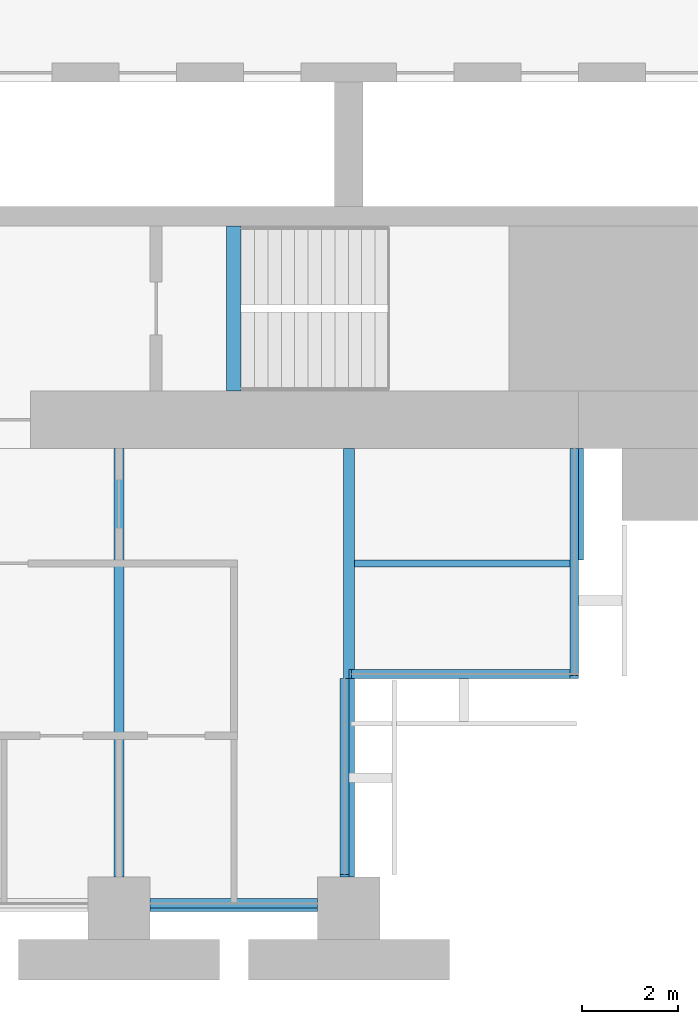
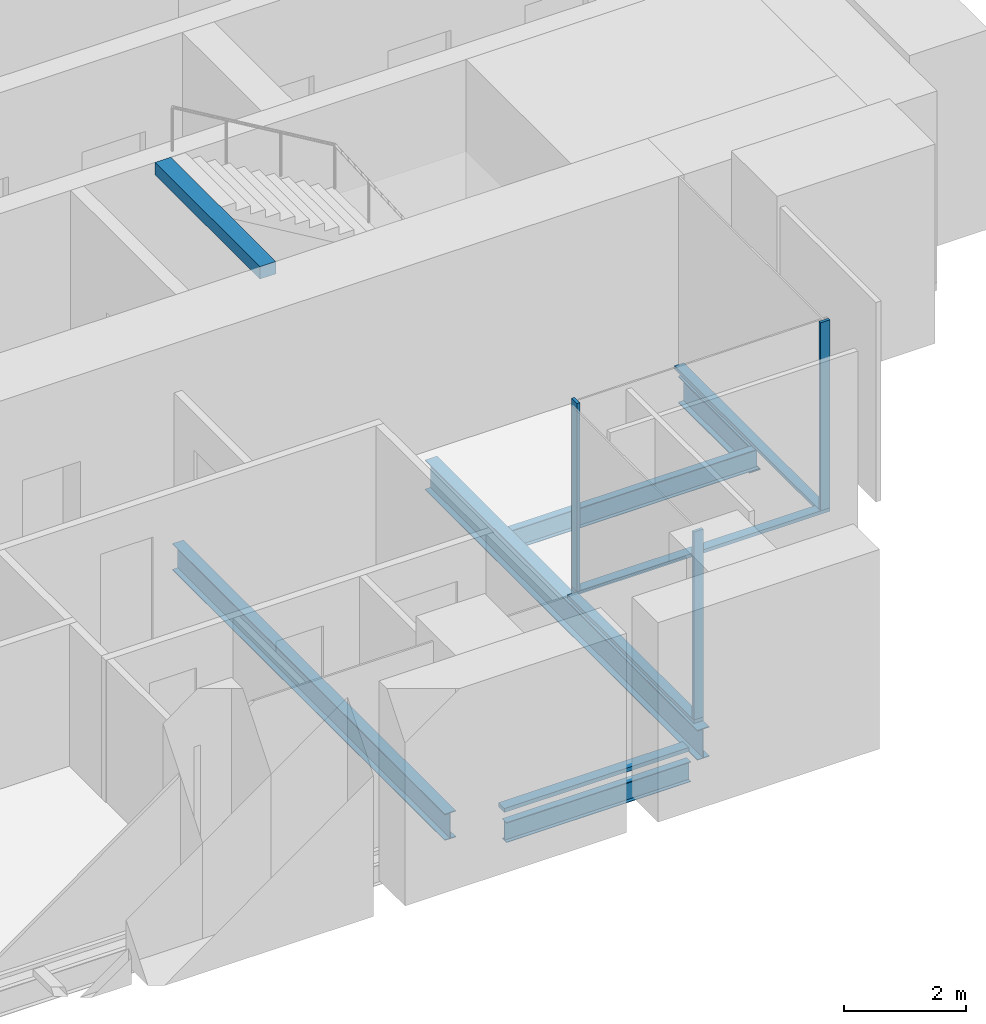
# One storey, part 4 of 14: 7 members, 6 beams, 4 elements without a shape of their own.
"""IFC4 building model written with IfcOpenShell, lengths in metres."""

from ifc_helpers import new_model, si_unit, direction, frame, origin, origin_2d, place, context, subcontext, project, spatial, rectangle, i_section, extrude, material, material_profile, profile_set, type_object, element, aggregate, save


model = new_model("IFC4")

# Units and contexts
model_context = context("Model", 3, precision=1e-05, world=origin(), true_north=direction((0.0, 1.0)))
body_context = subcontext(model_context, "Body", "Model", "MODEL_VIEW")
ifc_project = project(units=[si_unit("LENGTHUNIT", "METRE"), si_unit("AREAUNIT", "SQUARE_METRE"), si_unit("VOLUMEUNIT", "CUBIC_METRE"), si_unit("PLANEANGLEUNIT", "RADIAN"), si_unit("MASSUNIT", "GRAM", prefix="KILO")], contexts=[model_context])

# Site, building, storey
site_placement = place(None, origin())
site = spatial("IfcSite", under=ifc_project, at=site_placement, CompositionType="ELEMENT")
building_placement = place(site_placement, origin())
building = spatial("IfcBuilding", under=site, at=building_placement, Name="Baori Bourse Tower", CompositionType="ELEMENT")
storey_placement = place(building_placement, frame((0.0, 0.0, 43.0)))
storey = spatial("IfcBuildingStorey", under=building, at=storey_placement, Name="L08", CompositionType="ELEMENT", Elevation=43.0)

# Curtain wall, member
ifc_material_1 = material(Name="Pale anodised aluminium", Category="aluminium")
curtain_wall_type_1 = type_object("IfcCurtainWallType", Name="CW1 Curtain wall", PredefinedType="NOTDEFINED", material=ifc_material_1)
curtain_wall_1_placement = place(storey_placement, origin())
curtain_wall_1 = element("IfcCurtainWall", 1, at=curtain_wall_1_placement, inside=storey, type_object=curtain_wall_type_1, Name="Curtain wall CW1 L08 11", PredefinedType="NOTDEFINED")
ifc_material_2 = material(Name="Pale anodised aluminium", Category="aluminium")
ifc_material_profile_1 = material_profile(ifc_material_2, rectangle(XDim=0.199951171875, YDim=0.080078125, at=origin_2d()), Name="Transom 80x200")
ifc_profile_set_1 = profile_set([ifc_material_profile_1], Name="Pale anodised aluminium")
member_type_1 = type_object("IfcMemberType", Name="CW1 Curtain wall transom", PredefinedType="USERDEFINED", material=ifc_profile_set_1)
member_1_placement = place(storey_placement, frame((43.85009765625, 0.10009765625, 0.0400390625), z_axis=(1.0, 0.0, 0.0), x_axis=(0.0, 1.0, 0.0)))
member_1 = element("IfcMember", 2, at=member_1_placement, type_object=member_type_1, Name="Curtain wall CW1 sill rail", ObjectType="TRANSOM", PredefinedType="USERDEFINED", context=body_context, shape_type="SweptSolid", body=[
    extrude(rectangle(XDim=0.199951171875, YDim=0.080078125, at=origin_2d()), origin(), (0.0, 0.0, 1.0), 3.5),
])
aggregate(curtain_wall_1, [member_1])

ifc_material_3 = material(Name="Pale anodised aluminium", Category="aluminium")
curtain_wall_type_2 = type_object("IfcCurtainWallType", Name="CW2 Curtain wall", PredefinedType="NOTDEFINED", material=ifc_material_3)
curtain_wall_2_placement = place(storey_placement, origin())
curtain_wall_2 = element("IfcCurtainWall", 3, at=curtain_wall_2_placement, inside=storey, type_object=curtain_wall_type_2, Name="Curtain wall CW2 L08 12", PredefinedType="NOTDEFINED")
ifc_material_4 = material(Name="Pale anodised aluminium", Category="aluminium")
ifc_material_profile_2 = material_profile(ifc_material_4, rectangle(XDim=0.179931640625, YDim=0.054931640625, at=origin_2d()), Name="Mullion 55x180")
ifc_profile_set_2 = profile_set([ifc_material_profile_2], Name="Pale anodised aluminium")
member_type_2 = type_object("IfcMemberType", Name="CW2 Curtain wall mullion", PredefinedType="MULLION", material=ifc_profile_set_2)
member_2_placement = place(storey_placement, frame((47.909912109375, 0.677490234375, 0.070068359375), z_axis=(0.0, 0.0, 1.0), x_axis=(-1.0, 0.0, 0.0)))
member_2 = element("IfcMember", 4, at=member_2_placement, type_object=member_type_2, Name="Curtain wall CW2 mullion", PredefinedType="MULLION", context=body_context, shape_type="SweptSolid", body=[
    extrude(rectangle(XDim=0.179931640625, YDim=0.054931640625, at=origin_2d()), origin(), (0.0, 0.0, 1.0), 3.77001953125),
])

curtain_wall_3_placement = place(storey_placement, origin())
curtain_wall_3 = element("IfcCurtainWall", 5, at=curtain_wall_3_placement, inside=storey, type_object=curtain_wall_type_2, Name="Curtain wall CW2 L08 13", PredefinedType="NOTDEFINED")
member_3_placement = place(storey_placement, frame((48.027587890625, 4.889892578125, 0.070068359375), z_axis=(0.0, 0.0, 1.0), x_axis=(0.0, 1.0, 0.0)))
member_3 = element("IfcMember", 6, at=member_3_placement, type_object=member_type_2, Name="Curtain wall CW2 mullion", PredefinedType="MULLION", context=body_context, shape_type="SweptSolid", body=[
    extrude(rectangle(XDim=0.179931640625, YDim=0.054931640625, at=origin_2d()), origin(), (0.0, 0.0, 1.0), 3.77001953125),
])

curtain_wall_4_placement = place(storey_placement, origin())
curtain_wall_4 = element("IfcCurtainWall", 7, at=curtain_wall_4_placement, inside=storey, type_object=curtain_wall_type_2, Name="Curtain wall CW2 L08 14", PredefinedType="NOTDEFINED")
member_4_placement = place(storey_placement, frame((52.7099609375, 4.827392578125, 0.070068359375), z_axis=(0.0, 0.0, 1.0), x_axis=(-1.0, 0.0, 0.0)))
member_4 = element("IfcMember", 8, at=member_4_placement, type_object=member_type_2, Name="Curtain wall CW2 mullion", PredefinedType="MULLION", context=body_context, shape_type="SweptSolid", body=[
    extrude(rectangle(XDim=0.179931640625, YDim=0.054931640625, at=origin_2d()), origin(), (0.0, 0.0, 1.0), 3.77001953125),
])

# Member
ifc_material_5 = material(Name="Pale anodised aluminium", Category="aluminium")
ifc_material_profile_3 = material_profile(ifc_material_5, rectangle(XDim=0.179931640625, YDim=0.070068359375, at=origin_2d()), Name="Transom 70x180")
ifc_profile_set_3 = profile_set([ifc_material_profile_3], Name="Pale anodised aluminium")
member_type_3 = type_object("IfcMemberType", Name="CW2 Curtain wall transom", PredefinedType="USERDEFINED", material=ifc_profile_set_3)
member_5_placement = place(storey_placement, frame((47.909912109375, 0.64990234375, 0.034912109375), z_axis=(0.0, 1.0, 0.0), x_axis=(-1.0, 0.0, 0.0)))
member_5 = element("IfcMember", 9, at=member_5_placement, type_object=member_type_3, Name="Curtain wall CW2 sill rail", ObjectType="TRANSOM", PredefinedType="USERDEFINED", context=body_context, shape_type="SweptSolid", body=[
    extrude(rectangle(XDim=0.179931640625, YDim=0.070068359375, at=origin_2d()), origin(), (0.0, 0.0, 1.0), 4.150146484375),
])

aggregate(curtain_wall_2, [member_5, member_2])

member_6_placement = place(storey_placement, frame((48.0, 4.889892578125, 0.034912109375), z_axis=(1.0, 0.0, 0.0), x_axis=(0.0, 1.0, 0.0)))
member_6 = element("IfcMember", 10, at=member_6_placement, type_object=member_type_3, Name="Curtain wall CW2 sill rail", ObjectType="TRANSOM", PredefinedType="USERDEFINED", context=body_context, shape_type="SweptSolid", body=[
    extrude(rectangle(XDim=0.179931640625, YDim=0.070068359375, at=origin_2d()), origin(), (0.0, 0.0, 1.0), 4.800048828125),
])

aggregate(curtain_wall_3, [member_6, member_3])

member_7_placement = place(storey_placement, frame((52.7099609375, 4.800048828125, 0.034912109375), z_axis=(0.0, 1.0, 0.0), x_axis=(-1.0, 0.0, 0.0)))
member_7 = element("IfcMember", 11, at=member_7_placement, type_object=member_type_3, Name="Curtain wall CW2 sill rail", ObjectType="TRANSOM", PredefinedType="USERDEFINED", context=body_context, shape_type="SweptSolid", body=[
    extrude(rectangle(XDim=0.179931640625, YDim=0.070068359375, at=origin_2d()), origin(), (0.0, 0.0, 1.0), 4.800048828125),
])

aggregate(curtain_wall_4, [member_7, member_4])

# Beams
ifc_material_6 = material(Name="Steel A992 Gr 50", Category="steel")
ifc_material_profile_4 = material_profile(ifc_material_6, i_section(OverallWidth=0.21240234375, OverallDepth=0.54345703125, WebThickness=0.01318359375, FlangeThickness=0.021240234375, at=origin_2d()), Name="W21x83")
ifc_profile_set_4 = profile_set([ifc_material_profile_4], Name="Steel A992 Gr 50")
beam_type_1 = type_object("IfcBeamType", Name="Core bracket W21x83", PredefinedType="BEAM", material=ifc_profile_set_4)
beam_1_placement = place(storey_placement, frame((52.800048828125, 7.270263671875, -0.431884765625), z_axis=(0.0, 1.0, 0.0), x_axis=(-1.0, 0.0, 0.0)))
element("IfcBeam", 12, at=beam_1_placement, inside=storey, type_object=beam_type_1, Name="Core bracket L08", PredefinedType="BEAM", context=body_context, shape_type="SweptSolid", body=[
    extrude(i_section(OverallWidth=0.21240234375, OverallDepth=0.54345703125, WebThickness=0.01318359375, FlangeThickness=0.021240234375, at=origin_2d()), origin(), (0.0, 0.0, 1.0), 2.329833984375),
])
ifc_material_7 = material(Name="Steel A992 Gr 50", Category="steel")
ifc_material_profile_5 = material_profile(ifc_material_7, i_section(OverallWidth=0.140380859375, OverallDepth=0.40380859375, WebThickness=0.007080078125, FlangeThickness=0.01123046875, at=origin_2d()), Name="W16x31")
ifc_profile_set_5 = profile_set([ifc_material_profile_5], Name="Steel A992 Gr 50")
beam_type_2 = type_object("IfcBeamType", Name="Edge beam W16x31", PredefinedType="BEAM", material=ifc_profile_set_5)
beam_2_placement = place(storey_placement, frame((43.85009765625, 0.0, -0.36181640625), z_axis=(1.0, 0.0, 0.0), x_axis=(0.0, 1.0, 0.0)))
element("IfcBeam", 13, at=beam_2_placement, inside=storey, type_object=beam_type_2, Name="Edge beam L08", PredefinedType="BEAM", context=body_context, shape_type="SweptSolid", body=[
    extrude(i_section(OverallWidth=0.140380859375, OverallDepth=0.40380859375, WebThickness=0.007080078125, FlangeThickness=0.01123046875, at=origin_2d()), origin(), (0.0, 0.0, 1.0), 3.5),
])
ifc_material_8 = material(Name="Steel A992 Gr 50", Category="steel")
ifc_material_profile_6 = material_profile(ifc_material_8, i_section(OverallWidth=0.209228515625, OverallDepth=0.533447265625, WebThickness=0.01025390625, FlangeThickness=0.015625, at=origin_2d()), Name="W21x62")
ifc_profile_set_6 = profile_set([ifc_material_profile_6], Name="Steel A992 Gr 50")
beam_type_3 = type_object("IfcBeamType", Name="Floor beam W21x62", PredefinedType="BEAM", material=ifc_profile_set_6)
beam_3_placement = place(storey_placement, frame((43.199951171875, 0.64990234375, -0.4267578125), z_axis=(0.0, 1.0, 0.0), x_axis=(-1.0, 0.0, 0.0)))
element("IfcBeam", 14, at=beam_3_placement, inside=storey, type_object=beam_type_3, Name="Floor beam L08", PredefinedType="BEAM", context=body_context, shape_type="SweptSolid", body=[
    extrude(i_section(OverallWidth=0.209228515625, OverallDepth=0.533447265625, WebThickness=0.01025390625, FlangeThickness=0.015625, at=origin_2d()), origin(), (0.0, 0.0, 1.0), 8.9501953125),
])
ifc_material_9 = material(Name="Steel A992 Gr 50", Category="steel")
ifc_material_profile_7 = material_profile(ifc_material_9, i_section(OverallWidth=0.227783203125, OverallDepth=0.60205078125, WebThickness=0.010498046875, FlangeThickness=0.014892578125, at=origin_2d()), Name="W24x68")
ifc_profile_set_7 = profile_set([ifc_material_profile_7], Name="Steel A992 Gr 50")
beam_type_4 = type_object("IfcBeamType", Name="Floor beam W24x68", PredefinedType="BEAM", material=ifc_profile_set_7)
beam_4_placement = place(storey_placement, frame((48.0, 0.64990234375, -0.4609375), z_axis=(0.0, 1.0, 0.0), x_axis=(-1.0, 0.0, 0.0)))
element("IfcBeam", 15, at=beam_4_placement, inside=storey, type_object=beam_type_4, Name="Floor beam L08", PredefinedType="BEAM", context=body_context, shape_type="SweptSolid", body=[
    extrude(i_section(OverallWidth=0.227783203125, OverallDepth=0.60205078125, WebThickness=0.010498046875, FlangeThickness=0.014892578125, at=origin_2d()), origin(), (0.0, 0.0, 1.0), 8.9501953125),
])
ifc_material_10 = material(Name="Concrete f'c 50 MPa", Category="concrete")
ifc_material_profile_8 = material_profile(ifc_material_10, rectangle(XDim=0.300048828125, YDim=0.25, at=origin_2d()), Name="RC 300x250")
ifc_profile_set_8 = profile_set([ifc_material_profile_8], Name="Concrete f'c 50 MPa")
beam_type_5 = type_object("IfcBeamType", Name="Stair nib beam RC 300x250", PredefinedType="BEAM", material=ifc_profile_set_8)
beam_5_placement = place(storey_placement, frame((45.60009765625, 10.800048828125, 3.715087890625), z_axis=(0.0, 1.0, 0.0), x_axis=(-1.0, 0.0, 0.0)))
element("IfcBeam", 16, at=beam_5_placement, inside=storey, type_object=beam_type_5, Name="Stair EA nib beam L09", PredefinedType="BEAM", context=body_context, shape_type="SweptSolid", body=[
    extrude(rectangle(XDim=0.300048828125, YDim=0.25, at=origin_2d()), origin(), (0.0, 0.0, 1.0), 3.449951171875),
])
ifc_material_11 = material(Name="Steel A992 Gr 50", Category="steel")
ifc_material_profile_9 = material_profile(ifc_material_11, i_section(OverallWidth=0.140380859375, OverallDepth=0.40380859375, WebThickness=0.007080078125, FlangeThickness=0.01123046875, at=origin_2d()), Name="W16x31")
ifc_profile_set_9 = profile_set([ifc_material_profile_9], Name="Steel A992 Gr 50")
beam_type_6 = type_object("IfcBeamType", Name="Trimmer beam W16x31", PredefinedType="BEAM", material=ifc_profile_set_9)
beam_6_placement = place(storey_placement, frame((48.114013671875, 7.199951171875, -0.36181640625), z_axis=(1.0, 0.0, 0.0), x_axis=(0.0, 1.0, 0.0)))
element("IfcBeam", 17, at=beam_6_placement, inside=storey, type_object=beam_type_6, Name="Trimmer beam L08", PredefinedType="BEAM", context=body_context, shape_type="SweptSolid", body=[
    extrude(i_section(OverallWidth=0.140380859375, OverallDepth=0.40380859375, WebThickness=0.007080078125, FlangeThickness=0.01123046875, at=origin_2d()), origin(), (0.0, 0.0, 1.0), 4.68603515625),
])

save(model, "model.ifc")
